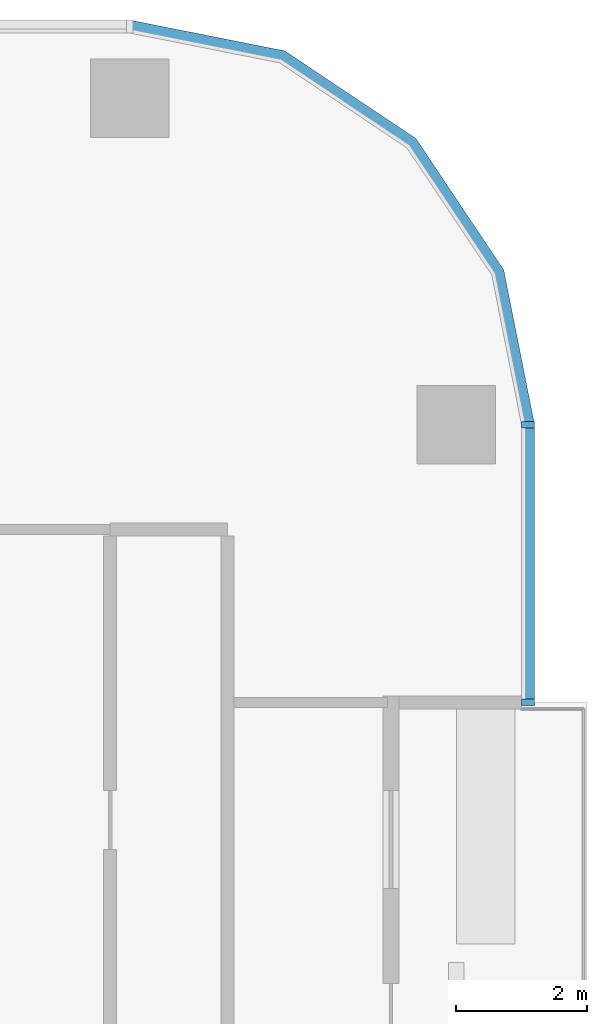
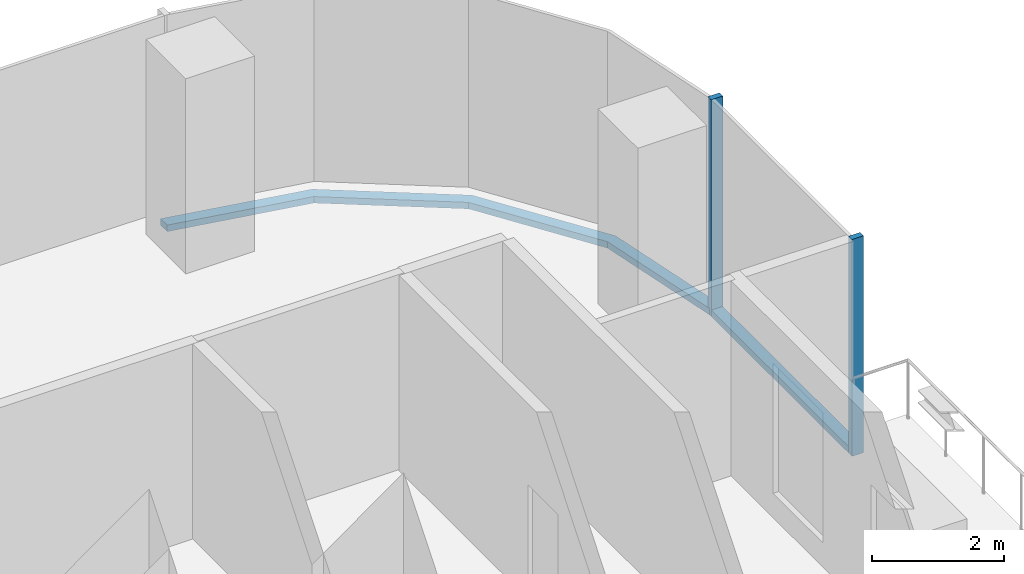
# One storey, part 5 of 14: 4 members, 2 elements without a shape of their own.
"""IFC4 building model written with IfcOpenShell, lengths in metres."""

from ifc_helpers import new_model, si_unit, direction, frame, origin, origin_2d, place, context, subcontext, project, spatial, polyline, rectangle, outline, extrude, material, material_profile, profile_set, type_object, element, aggregate, save


model = new_model("IFC4")

# Units and contexts
model_context = context("Model", 3, precision=1e-05, world=origin(), true_north=direction((0.0, 1.0)))
body_context = subcontext(model_context, "Body", "Model", "MODEL_VIEW")
ifc_project = project(units=[si_unit("LENGTHUNIT", "METRE"), si_unit("AREAUNIT", "SQUARE_METRE"), si_unit("VOLUMEUNIT", "CUBIC_METRE"), si_unit("PLANEANGLEUNIT", "RADIAN"), si_unit("MASSUNIT", "GRAM", prefix="KILO")], contexts=[model_context])

# Site, building, storey
site_placement = place(None, origin())
site = spatial("IfcSite", under=ifc_project, at=site_placement, CompositionType="ELEMENT")
building_placement = place(site_placement, origin())
building = spatial("IfcBuilding", under=site, at=building_placement, Name="Mopane Tessera Tower", CompositionType="ELEMENT")
storey_placement = place(building_placement, frame((0.0, 0.0, 165.0)))
storey = spatial("IfcBuildingStorey", under=building, at=storey_placement, Name="L33", CompositionType="ELEMENT", Elevation=165.0)

# Curtain wall, members
ifc_material_1 = material(Name="Aluminium frame", Category="aluminium")
curtain_wall_type = type_object("IfcCurtainWallType", Name="Unitised curtain wall", PredefinedType="NOTDEFINED", material=ifc_material_1)
curtain_wall_1_placement = place(storey_placement, origin())
curtain_wall_1 = element("IfcCurtainWall", 1, at=curtain_wall_1_placement, inside=storey, type_object=curtain_wall_type, Name="e:cw:L33:E:7", PredefinedType="NOTDEFINED")
ifc_material_2 = material(Name="Aluminium frame", Category="aluminium")
ifc_material_profile_1 = material_profile(ifc_material_2, rectangle(XDim=0.10009765625, YDim=0.199951171875, at=origin_2d()))
ifc_profile_set_1 = profile_set([ifc_material_profile_1], Name="Aluminium frame")
member_type_1 = type_object("IfcMemberType", Name="Aluminium mullion 100 x 200", PredefinedType="MULLION", material=ifc_profile_set_1)
member_1_placement = place(storey_placement, frame((26.300048828125, 12.75, -0.39990234375), z_axis=(0.0, 0.0, 1.0), x_axis=(0.0, 1.0, 0.0)))
member_1 = element("IfcMember", 2, at=member_1_placement, type_object=member_type_1, Name="e:cw:L33:E:7:mu7", PredefinedType="MULLION", context=body_context, shape_type="SweptSolid", body=[
    extrude(rectangle(XDim=0.10009765625, YDim=0.199951171875, at=origin_2d()), origin(), (0.0, 0.0, 1.0), 4.0),
])
member_2_placement = place(storey_placement, frame((26.300048828125, 17.0, -0.39990234375), z_axis=(0.0, 0.0, 1.0), x_axis=(0.0, 1.0, 0.0)))
member_2 = element("IfcMember", 3, at=member_2_placement, type_object=member_type_1, Name="e:cw:L33:E:7:mu8", PredefinedType="MULLION", context=body_context, shape_type="SweptSolid", body=[
    extrude(rectangle(XDim=0.10009765625, YDim=0.199951171875, at=origin_2d()), origin(), (0.0, 0.0, 1.0), 4.0),
])
ifc_material_3 = material(Name="Aluminium frame", Category="aluminium")
ifc_material_profile_2 = material_profile(ifc_material_3, rectangle(XDim=0.199951171875, YDim=0.1201171875, at=origin_2d()))
ifc_profile_set_2 = profile_set([ifc_material_profile_2], Name="Aluminium frame")
member_type_2 = type_object("IfcMemberType", Name="Aluminium transom 200 x 120", PredefinedType="USERDEFINED", material=ifc_profile_set_2)
member_3_placement = place(storey_placement, frame((26.300048828125, 12.800048828125, -0.340087890625), z_axis=(0.0, 1.0, 0.0), x_axis=(-1.0, 0.0, 0.0)))
member_3 = element("IfcMember", 4, at=member_3_placement, type_object=member_type_2, Name="e:cw:L33:E:7:tr7", ObjectType="TRANSOM", PredefinedType="USERDEFINED", context=body_context, shape_type="SweptSolid", body=[
    extrude(rectangle(XDim=0.199951171875, YDim=0.1201171875, at=origin_2d()), origin(), (0.0, 0.0, 1.0), 4.14990234375),
])
aggregate(curtain_wall_1, [member_1, member_2, member_3])

# Curtain wall, member
curtain_wall_2_placement = place(storey_placement, origin())
curtain_wall_2 = element("IfcCurtainWall", 5, at=curtain_wall_2_placement, inside=storey, type_object=curtain_wall_type, Name="e:cw:L33:CE", PredefinedType="NOTDEFINED")
member_4_placement = place(storey_placement, frame((0.0, 0.0, -0.39990234375)))
member_4 = element("IfcMember", 6, at=member_4_placement, type_object=member_type_2, Name="e:cw:L33:CE:tr", ObjectType="TRANSOM", PredefinedType="USERDEFINED", context=body_context, shape_type="SweptSolid", body=[
    extrude(outline(polyline([(26.199951171875, 17.0), (25.7431640625, 19.296142578125), (24.442626953125, 21.24267578125), (22.49609375, 22.543212890625), (20.199951171875, 23.0), (20.199951171875, 23.199951171875), (22.57275390625, 22.72802734375), (24.583984375, 21.384033203125), (25.927978515625, 19.37255859375), (26.39990234375, 17.0), (26.199951171875, 17.0)])), origin(), (0.0, 0.0, 1.0), 0.119873046875),
])
aggregate(curtain_wall_2, [member_4])

save(model, "model.ifc")
